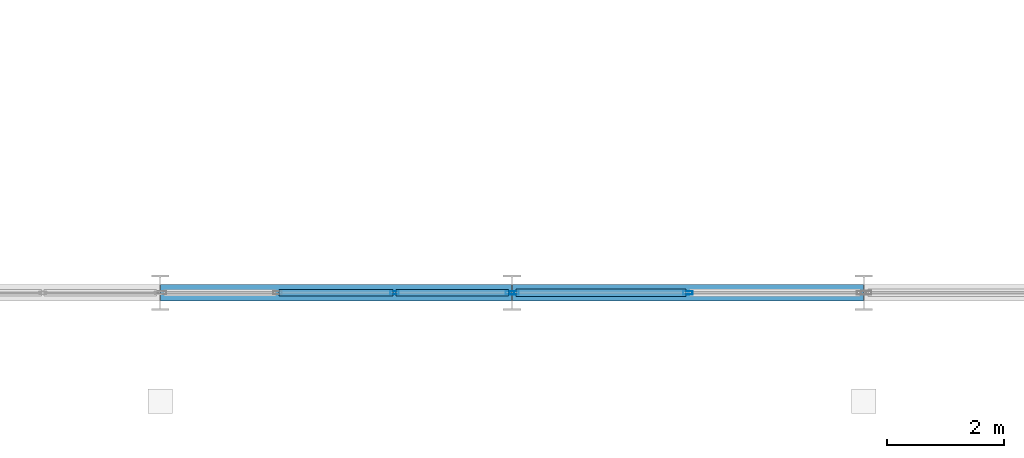
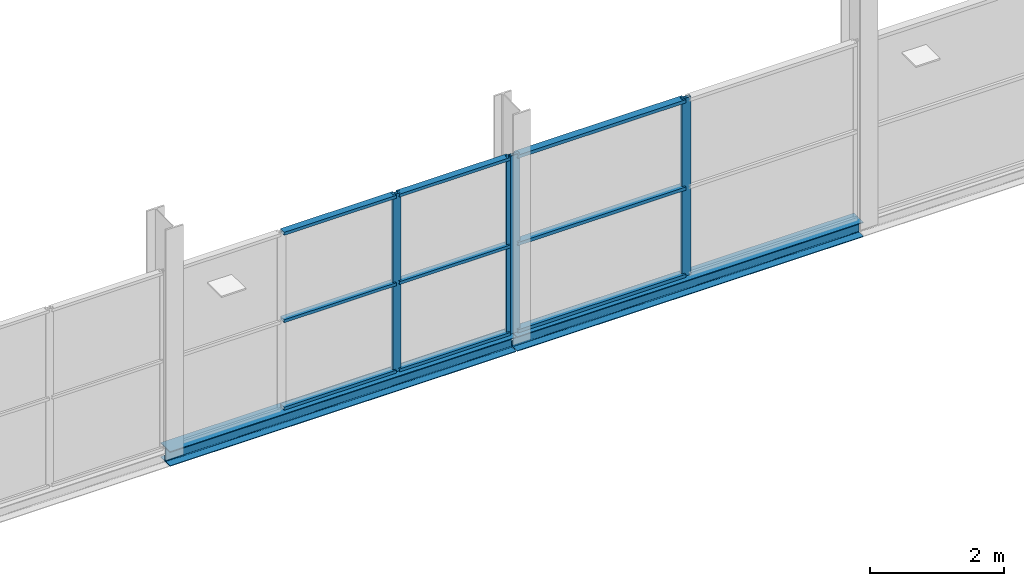
# One storey, part 23 of 135: 13 members, 2 beams, 2 elements without a shape of their own.
"""IFC4 building model written with IfcOpenShell, lengths in metres."""

import ifcopenshell
import ifcopenshell.guid

model = None  # the IFC model being written
_history = None  # IfcOwnerHistory: only IFC2X3 demands one
_inside = {}  # id of a spatial element -> (the spatial element, [elements in it])
_under = {}  # id of a project, library or spatial element -> (it, [spatial elements below it])
_declared = {}  # id of a project -> (the project, [libraries it declares])
_typed = {}  # id of a type object -> (the type object, [elements of that type])
_made_of = {}  # id of a material, layer set ... -> (it, [elements and type objects made of it])


def new_model(schema):
    """Start an empty IFC model of exactly this schema.

    Asked for "IFC4X3", IfcOpenShell would pick the latest addendum, in which some entities
    have other attributes; the version numbers below select the first issue.
    IFC2X3 requires an IfcOwnerHistory on every rooted entity: one is made here for all.
    """
    global model, _history
    if schema == "IFC4X3":
        model = ifcopenshell.file(schema_version=(4, 3, 0, 0))
    else:
        model = ifcopenshell.file(schema=schema)
    _inside.clear()
    _under.clear()
    _declared.clear()
    _typed.clear()
    _made_of.clear()
    _history = None
    if model.schema == "IFC2X3":
        org = make("IfcOrganization", Name="unknown")
        user = make(
            "IfcPersonAndOrganization",
            ThePerson=make("IfcPerson", FamilyName="unknown"),
            TheOrganization=org,
        )
        app = make(
            "IfcApplication",
            ApplicationDeveloper=org,
            Version="unknown",
            ApplicationFullName="unknown",
            ApplicationIdentifier="unknown",
        )
        _history = make(
            "IfcOwnerHistory",
            OwningUser=user,
            OwningApplication=app,
            ChangeAction="ADDED",
            CreationDate=0,
        )
    return model


def make(cls, **values):
    """One entity of the class cls with the attributes given. An attribute that is None is left unset."""
    return model.create_entity(
        cls, **{name: value for name, value in values.items() if value is not None}
    )


def rooted(cls, **values):
    """An entity with a GlobalId (a new one), such as an element, a storey or a relation."""
    return make(cls, GlobalId=ifcopenshell.guid.new(), OwnerHistory=_history, **values)


def si_unit(unit_type, name, prefix=None):
    """IfcSIUnit, for example si_unit("LENGTHUNIT", "METRE", prefix="MILLI")."""
    return make("IfcSIUnit", UnitType=unit_type, Prefix=prefix, Name=name)


def assignment(units):
    """IfcUnitAssignment: the units of a project."""
    return None if units is None else make("IfcUnitAssignment", Units=units)


def point(xyz):
    """IfcCartesianPoint."""
    return None if xyz is None else make("IfcCartesianPoint", Coordinates=xyz)


def direction(xyz):
    """IfcDirection."""
    return None if xyz is None else make("IfcDirection", DirectionRatios=xyz)


def frame(location, z_axis=None, x_axis=None):
    """IfcAxis2Placement3D, a coordinate frame: its origin and axes. An axis left out is left unset."""
    return make(
        "IfcAxis2Placement3D",
        Location=point(location),
        Axis=direction(z_axis),
        RefDirection=direction(x_axis),
    )


def frame_2d(location, x_axis=None):
    """IfcAxis2Placement2D, a coordinate frame in the plane: its origin and x axis."""
    return make(
        "IfcAxis2Placement2D", Location=point(location), RefDirection=direction(x_axis)
    )


def origin():
    """The frame at (0, 0, 0) with its axes left unset."""
    return frame((0.0, 0.0, 0.0))


def origin_2d():
    """The frame at (0, 0) in the plane with its x axis left unset."""
    return frame_2d((0.0, 0.0))


def place(relative_to, where):
    """IfcLocalPlacement: puts the frame where relative to a parent placement (None: the world)."""
    return make(
        "IfcLocalPlacement", PlacementRelTo=relative_to, RelativePlacement=where
    )


def context(
    kind, dimensions, precision=None, world=None, true_north=None, identifier=None
):
    """IfcGeometricRepresentationContext, for example the 3D "Model" context."""
    return make(
        "IfcGeometricRepresentationContext",
        ContextIdentifier=identifier,
        ContextType=kind,
        CoordinateSpaceDimension=dimensions,
        Precision=precision,
        WorldCoordinateSystem=world,
        TrueNorth=true_north,
    )


def subcontext(parent, identifier, kind, view, scale=None):
    """IfcGeometricRepresentationSubContext, for example "Body" below "Model"."""
    return make(
        "IfcGeometricRepresentationSubContext",
        ContextIdentifier=identifier,
        ContextType=kind,
        ParentContext=parent,
        TargetScale=scale,
        TargetView=view,
    )


def project(units=None, contexts=None):
    """IfcProject with its units and contexts."""
    return rooted(
        "IfcProject",
        Name="project",
        RepresentationContexts=contexts,
        UnitsInContext=assignment(units),
    )


def spatial(cls, under=None, at=None, **own):
    """A site, building, storey or space (cls), placed at a placement, below another one or the project."""
    s = rooted(cls, ObjectPlacement=at, **own)
    if under is not None:
        _under.setdefault(under.id(), (under, []))[1].append(s)
    return s


def profile(cls, at=None, kind="AREA", **sizes):
    """A parametric profile (cls). Its sizes go by their IFC names, for example OverallWidth=200.0."""
    return make(cls, ProfileType=kind, Position=at, **sizes)


def hollow_rectangle(**sizes):
    """IfcRectangleHollowProfileDef."""
    return profile("IfcRectangleHollowProfileDef", **sizes)


def i_section(**sizes):
    """IfcIShapeProfileDef."""
    return profile("IfcIShapeProfileDef", **sizes)


def extrude(swept, where, along, depth):
    """IfcExtrudedAreaSolid: the profile swept, set in the frame where, extruded along a direction by depth."""
    return make(
        "IfcExtrudedAreaSolid",
        SweptArea=swept,
        Position=where,
        ExtrudedDirection=direction(along),
        Depth=depth,
    )


def shape(context_of_items, identifier, shape_type, items):
    """IfcShapeRepresentation: the items that make up one representation, for example the "Body"."""
    return make(
        "IfcShapeRepresentation",
        ContextOfItems=context_of_items,
        RepresentationIdentifier=identifier,
        RepresentationType=shape_type,
        Items=items,
    )


def material(Name=None, Category=None):
    """IfcMaterial."""
    return make("IfcMaterial", Name=Name, Category=Category)


def layer(
    of_material, thickness, ventilated=None, Name=None, Category=None, Priority=None
):
    """IfcMaterialLayer: one layer of a wall or slab, of a material (None: an air gap)."""
    return make(
        "IfcMaterialLayer",
        Material=of_material,
        LayerThickness=thickness,
        IsVentilated=ventilated,
        Name=Name,
        Category=Category,
        Priority=Priority,
    )


def layer_set(layers, Name=None):
    """IfcMaterialLayerSet."""
    return make("IfcMaterialLayerSet", MaterialLayers=layers, LayerSetName=Name)


def material_profile(
    of_material, cross_section, Name=None, Category=None, Priority=None
):
    """IfcMaterialProfile: a cross section and its material."""
    return make(
        "IfcMaterialProfile",
        Name=Name,
        Material=of_material,
        Profile=cross_section,
        Priority=Priority,
        Category=Category,
    )


def profile_set(profiles, Name=None, composite=None):
    """IfcMaterialProfileSet."""
    return make(
        "IfcMaterialProfileSet",
        Name=Name,
        MaterialProfiles=profiles,
        CompositeProfile=composite,
    )


def made_of(thing, what):
    """Note that an element or type object is made of a material, layer set ...; save() writes the relation."""
    if what is not None:
        _made_of.setdefault(what.id(), (what, []))[1].append(thing)
    return thing


def type_object(cls, material=None, **own):
    """A type object (cls), such as IfcWallType, which elements share."""
    return made_of(rooted(cls, **own), material)


def element(
    cls,
    number,
    at=None,
    inside=None,
    cuts=None,
    type_object=None,
    material=None,
    context=None,
    identifier="Body",
    shape_type=None,
    held_by="IfcProductDefinitionShape",
    body=None,
    shapes=None,
    **own,
):
    """One element of the class cls, such as IfcWall. Its Tag is "e" and its number.

    at: its placement. inside: the storey or other place that contains it. cuts: it is an
    opening in that element (IfcRelVoidsElement). A single representation is given by context,
    identifier, shape_type and body (its items); several are given by shapes. held_by: the class
    of the entity that holds the representations. save() writes the other relations.
    """
    e = rooted(cls, Tag="e%d" % number, ObjectPlacement=at, **own)
    if body is not None:
        shapes = [shape(context, identifier, shape_type, body)]
    if shapes is not None:
        e.Representation = make(held_by, Representations=shapes)
    if inside is not None:
        _inside.setdefault(inside.id(), (inside, []))[1].append(e)
    if cuts is not None:
        rooted(
            "IfcRelVoidsElement", RelatingBuildingElement=cuts, RelatedOpeningElement=e
        )
    if type_object is not None:
        _typed.setdefault(type_object.id(), (type_object, []))[1].append(e)
    return made_of(e, material)


def aggregate(whole, parts):
    """IfcRelAggregates: a whole, such as a stair, and the parts it consists of."""
    return rooted("IfcRelAggregates", RelatingObject=whole, RelatedObjects=parts)


def save(model, path):
    """Write the relations noted so far, then the file.

    IfcRelAggregates (storeys below a building ...), IfcRelContainedInSpatialStructure (elements
    in a storey), IfcRelDefinesByType, IfcRelAssociatesMaterial and IfcRelDeclares: one each for
    every whole, place, type object, material and project.
    """
    for whole, parts in _under.values():
        aggregate(whole, parts)
    for where, things in _inside.values():
        rooted(
            "IfcRelContainedInSpatialStructure",
            RelatedElements=things,
            RelatingStructure=where,
        )
    for kind, things in _typed.values():
        rooted("IfcRelDefinesByType", RelatedObjects=things, RelatingType=kind)
    for what, things in _made_of.values():
        rooted("IfcRelAssociatesMaterial", RelatedObjects=things, RelatingMaterial=what)
    for by, libraries in _declared.values():
        rooted("IfcRelDeclares", RelatingContext=by, RelatedDefinitions=libraries)
    model.write(path)


model = new_model("IFC4")

# Units and contexts
model_context = context("Model", 3, precision=1e-05, world=origin(), true_north=direction((0.0, 1.0)))
body_context = subcontext(model_context, "Body", "Model", "MODEL_VIEW")
ifc_project = project(units=[si_unit("LENGTHUNIT", "METRE"), si_unit("AREAUNIT", "SQUARE_METRE"), si_unit("VOLUMEUNIT", "CUBIC_METRE"), si_unit("PLANEANGLEUNIT", "RADIAN"), si_unit("MASSUNIT", "GRAM", prefix="KILO")], contexts=[model_context])

# Site, building, storey
site_placement = place(None, origin())
site = spatial("IfcSite", under=ifc_project, at=site_placement, CompositionType="ELEMENT")
building_placement = place(site_placement, origin())
building = spatial("IfcBuilding", under=site, at=building_placement, Name="Deido Ridge Mobility Hub", CompositionType="ELEMENT")
storey_placement = place(building_placement, frame((0.0, 0.0, 4.199951171875)))
storey = spatial("IfcBuildingStorey", under=building, at=storey_placement, Name="L01", CompositionType="ELEMENT", Elevation=4.199951171875)

# Curtain wall, members
ifc_material_1 = material(Name="Anodised aluminium EN AW-6063 T6", Category="aluminium")
ifc_layer_1 = layer(ifc_material_1, 0.179931640625, Name="Anodised aluminium EN AW-6063 T6")
ifc_layer_set_1 = layer_set([ifc_layer_1], Name="Anodised aluminium EN AW-6063 T6")
curtain_wall_type_1 = type_object("IfcCurtainWallType", Name="CW-UF-2", PredefinedType="USERDEFINED", material=ifc_layer_set_1)
curtain_wall_1_placement = place(storey_placement, origin())
curtain_wall_1 = element("IfcCurtainWall", 1, at=curtain_wall_1_placement, inside=storey, type_object=curtain_wall_type_1, Name="Unitised curtain wall CW2", ObjectType="UNITISED FACADE", PredefinedType="USERDEFINED")
ifc_material_profile_1 = material_profile(ifc_material_1, hollow_rectangle(XDim=0.054931640625, YDim=0.14501953125, WallThickness=0.00390625, at=origin_2d()), Name="RHS 55x145x4")
ifc_profile_set_1 = profile_set([ifc_material_profile_1], Name="Anodised aluminium EN AW-6063 T6")
member_type_1 = type_object("IfcMemberType", Name="MEM-MUL-55X145", PredefinedType="MULLION", material=ifc_profile_set_1)
member_1_placement = place(storey_placement, frame((9.997314453125, 0.0, 0.0), z_axis=(0.0, 0.0, 1.0), x_axis=(0.0, 1.0, 0.0)))
member_1 = element("IfcMember", 2, at=member_1_placement, type_object=member_type_1, Name="CW2 mullion 3", PredefinedType="MULLION", context=body_context, shape_type="SweptSolid", body=[
    extrude(hollow_rectangle(XDim=0.054931640625, YDim=0.14501953125, WallThickness=0.00390625, at=origin_2d()), origin(), (0.0, 0.0, 1.0), 3.25),
])
member_2_placement = place(storey_placement, frame((11.96484375, 0.0, 0.0), z_axis=(0.0, 0.0, 1.0), x_axis=(0.0, 1.0, 0.0)))
member_2 = element("IfcMember", 3, at=member_2_placement, type_object=member_type_1, Name="CW2 mullion 4", PredefinedType="MULLION", context=body_context, shape_type="SweptSolid", body=[
    extrude(hollow_rectangle(XDim=0.054931640625, YDim=0.14501953125, WallThickness=0.00390625, at=origin_2d()), origin(), (0.0, 0.0, 1.0), 3.25),
])

ifc_layer_2 = layer(ifc_material_1, 0.195068359375, Name="Anodised aluminium EN AW-6063 T6")
ifc_layer_set_2 = layer_set([ifc_layer_2], Name="Anodised aluminium EN AW-6063 T6")
curtain_wall_type_2 = type_object("IfcCurtainWallType", Name="CW-UF-3", PredefinedType="USERDEFINED", material=ifc_layer_set_2)
curtain_wall_2_placement = place(storey_placement, origin())
curtain_wall_2 = element("IfcCurtainWall", 4, at=curtain_wall_2_placement, inside=storey, type_object=curtain_wall_type_2, Name="Unitised curtain wall CW3", ObjectType="UNITISED FACADE", PredefinedType="USERDEFINED")
ifc_material_profile_2 = material_profile(ifc_material_1, hollow_rectangle(XDim=0.06005859375, YDim=0.159912109375, WallThickness=0.00390625, at=origin_2d()), Name="RHS 60x160x4")
ifc_profile_set_2 = profile_set([ifc_material_profile_2], Name="Anodised aluminium EN AW-6063 T6")
member_type_2 = type_object("IfcMemberType", Name="MEM-MUL-60X160", PredefinedType="MULLION", material=ifc_profile_set_2)
member_3_placement = place(storey_placement, frame((12.03759765625, 0.0, 0.0), z_axis=(0.0, 0.0, 1.0), x_axis=(0.0, 1.0, 0.0)))
member_3 = element("IfcMember", 5, at=member_3_placement, type_object=member_type_2, Name="CW3 mullion 1", PredefinedType="MULLION", context=body_context, shape_type="SweptSolid", body=[
    extrude(hollow_rectangle(XDim=0.06005859375, YDim=0.159912109375, WallThickness=0.00390625, at=origin_2d()), origin(), (0.0, 0.0, 1.0), 3.25),
])
member_4_placement = place(storey_placement, frame((15.0, 0.0, 0.0), z_axis=(0.0, 0.0, 1.0), x_axis=(0.0, 1.0, 0.0)))
member_4 = element("IfcMember", 6, at=member_4_placement, type_object=member_type_2, Name="CW3 mullion 2", PredefinedType="MULLION", context=body_context, shape_type="SweptSolid", body=[
    extrude(hollow_rectangle(XDim=0.06005859375, YDim=0.159912109375, WallThickness=0.00390625, at=origin_2d()), origin(), (0.0, 0.0, 1.0), 3.25),
])

# Member
ifc_material_profile_3 = material_profile(ifc_material_1, hollow_rectangle(XDim=0.114990234375, YDim=0.054931640625, WallThickness=0.00390625, at=origin_2d()), Name="RHS 115x55x4")
ifc_profile_set_3 = profile_set([ifc_material_profile_3], Name="Anodised aluminium EN AW-6063 T6")
member_type_3 = type_object("IfcMemberType", Name="MEM-TRN-115X55", PredefinedType="USERDEFINED", material=ifc_profile_set_3)
member_5_placement = place(storey_placement, frame((8.030029296875, 0.0, 0.027587890625), z_axis=(1.0, 0.0, 0.0), x_axis=(0.0, 1.0, 0.0)))
member_5 = element("IfcMember", 7, at=member_5_placement, type_object=member_type_3, Name="CW2 transom 2.1", ObjectType="TRANSOM", PredefinedType="USERDEFINED", context=body_context, shape_type="SweptSolid", body=[
    extrude(hollow_rectangle(XDim=0.114990234375, YDim=0.054931640625, WallThickness=0.00390625, at=origin_2d()), origin(), (0.0, 0.0, 1.0), 1.93994140625),
])

member_6_placement = place(storey_placement, frame((8.030029296875, 0.0, 1.625), z_axis=(1.0, 0.0, 0.0), x_axis=(0.0, 1.0, 0.0)))
member_6 = element("IfcMember", 8, at=member_6_placement, type_object=member_type_3, Name="CW2 transom 2.2", ObjectType="TRANSOM", PredefinedType="USERDEFINED", context=body_context, shape_type="SweptSolid", body=[
    extrude(hollow_rectangle(XDim=0.114990234375, YDim=0.054931640625, WallThickness=0.00390625, at=origin_2d()), origin(), (0.0, 0.0, 1.0), 1.93994140625),
])

member_7_placement = place(storey_placement, frame((8.030029296875, 0.0, 3.22265625), z_axis=(1.0, 0.0, 0.0), x_axis=(0.0, 1.0, 0.0)))
member_7 = element("IfcMember", 9, at=member_7_placement, type_object=member_type_3, Name="CW2 transom 2.3", ObjectType="TRANSOM", PredefinedType="USERDEFINED", context=body_context, shape_type="SweptSolid", body=[
    extrude(hollow_rectangle(XDim=0.114990234375, YDim=0.054931640625, WallThickness=0.00390625, at=origin_2d()), origin(), (0.0, 0.0, 1.0), 1.93994140625),
])

member_8_placement = place(storey_placement, frame((10.02490234375, 0.0, 0.027587890625), z_axis=(1.0, 0.0, 0.0), x_axis=(0.0, 1.0, 0.0)))
member_8 = element("IfcMember", 10, at=member_8_placement, type_object=member_type_3, Name="CW2 transom 3.1", ObjectType="TRANSOM", PredefinedType="USERDEFINED", context=body_context, shape_type="SweptSolid", body=[
    extrude(hollow_rectangle(XDim=0.114990234375, YDim=0.054931640625, WallThickness=0.00390625, at=origin_2d()), origin(), (0.0, 0.0, 1.0), 1.912353515625),
])

member_9_placement = place(storey_placement, frame((10.02490234375, 0.0, 1.625), z_axis=(1.0, 0.0, 0.0), x_axis=(0.0, 1.0, 0.0)))
member_9 = element("IfcMember", 11, at=member_9_placement, type_object=member_type_3, Name="CW2 transom 3.2", ObjectType="TRANSOM", PredefinedType="USERDEFINED", context=body_context, shape_type="SweptSolid", body=[
    extrude(hollow_rectangle(XDim=0.114990234375, YDim=0.054931640625, WallThickness=0.00390625, at=origin_2d()), origin(), (0.0, 0.0, 1.0), 1.912353515625),
])

member_10_placement = place(storey_placement, frame((10.02490234375, 0.0, 3.22265625), z_axis=(1.0, 0.0, 0.0), x_axis=(0.0, 1.0, 0.0)))
member_10 = element("IfcMember", 12, at=member_10_placement, type_object=member_type_3, Name="CW2 transom 3.3", ObjectType="TRANSOM", PredefinedType="USERDEFINED", context=body_context, shape_type="SweptSolid", body=[
    extrude(hollow_rectangle(XDim=0.114990234375, YDim=0.054931640625, WallThickness=0.00390625, at=origin_2d()), origin(), (0.0, 0.0, 1.0), 1.912353515625),
])

aggregate(curtain_wall_1, [member_1, member_2, member_5, member_6, member_7, member_8, member_9, member_10])

ifc_material_profile_4 = material_profile(ifc_material_1, hollow_rectangle(XDim=0.125, YDim=0.06005859375, WallThickness=0.00390625, at=origin_2d()), Name="RHS 125x60x4")
ifc_profile_set_4 = profile_set([ifc_material_profile_4], Name="Anodised aluminium EN AW-6063 T6")
member_type_4 = type_object("IfcMemberType", Name="MEM-TRN-125X60", PredefinedType="USERDEFINED", material=ifc_profile_set_4)
member_11_placement = place(storey_placement, frame((12.067626953125, 0.0, 0.030029296875), z_axis=(1.0, 0.0, 0.0), x_axis=(0.0, 1.0, 0.0)))
member_11 = element("IfcMember", 13, at=member_11_placement, type_object=member_type_4, Name="CW3 transom 1.1", ObjectType="TRANSOM", PredefinedType="USERDEFINED", context=body_context, shape_type="SweptSolid", body=[
    extrude(hollow_rectangle(XDim=0.125, YDim=0.06005859375, WallThickness=0.00390625, at=origin_2d()), origin(), (0.0, 0.0, 1.0), 2.90234375),
])

member_12_placement = place(storey_placement, frame((12.067626953125, 0.0, 1.625), z_axis=(1.0, 0.0, 0.0), x_axis=(0.0, 1.0, 0.0)))
member_12 = element("IfcMember", 14, at=member_12_placement, type_object=member_type_4, Name="CW3 transom 1.2", ObjectType="TRANSOM", PredefinedType="USERDEFINED", context=body_context, shape_type="SweptSolid", body=[
    extrude(hollow_rectangle(XDim=0.125, YDim=0.06005859375, WallThickness=0.00390625, at=origin_2d()), origin(), (0.0, 0.0, 1.0), 2.90234375),
])

member_13_placement = place(storey_placement, frame((12.067626953125, 0.0, 3.219970703125), z_axis=(1.0, 0.0, 0.0), x_axis=(0.0, 1.0, 0.0)))
member_13 = element("IfcMember", 15, at=member_13_placement, type_object=member_type_4, Name="CW3 transom 1.3", ObjectType="TRANSOM", PredefinedType="USERDEFINED", context=body_context, shape_type="SweptSolid", body=[
    extrude(hollow_rectangle(XDim=0.125, YDim=0.06005859375, WallThickness=0.00390625, at=origin_2d()), origin(), (0.0, 0.0, 1.0), 2.90234375),
])

aggregate(curtain_wall_2, [member_3, member_4, member_11, member_12, member_13])

# Beams
ifc_material_2 = material(Name="Steel S355J2 EN 10025-2", Category="steel")
ifc_material_profile_5 = material_profile(ifc_material_2, i_section(OverallWidth=0.280029296875, OverallDepth=0.27001953125, WebThickness=0.008056640625, FlangeThickness=0.012939453125, FilletRadius=0.02392578125, at=origin_2d()), Name="HEA 280")
ifc_profile_set_5 = profile_set([ifc_material_profile_5], Name="Steel S355J2 EN 10025-2")
beam_type = type_object("IfcBeamType", Name="SPD-HEA280", PredefinedType="SPANDREL", material=ifc_profile_set_5)
for number, where, z_axis, x_axis, name in (
    (16, (6.0078125, 0.0, -0.135009765625), (1.0, 0.0, 0.0), (0.0, 1.0, 0.0), "Concourse perimeter wind girt SP2"),
    (17, (12.0078125, 0.0, -0.135009765625), (1.0, 0.0, 0.0), (0.0, 1.0, 0.0), "Concourse perimeter wind girt SP2"),
):
    element("IfcBeam", number, at=place(storey_placement, frame(where, z_axis=z_axis, x_axis=x_axis)), inside=storey, type_object=beam_type, Name=name, PredefinedType="SPANDREL", context=body_context, shape_type="SweptSolid", body=[
        extrude(i_section(OverallWidth=0.280029296875, OverallDepth=0.27001953125, WebThickness=0.008056640625, FlangeThickness=0.012939453125, FilletRadius=0.02392578125, at=origin_2d()), origin(), (0.0, 0.0, 1.0), 5.984375),
    ])

save(model, "model.ifc")
